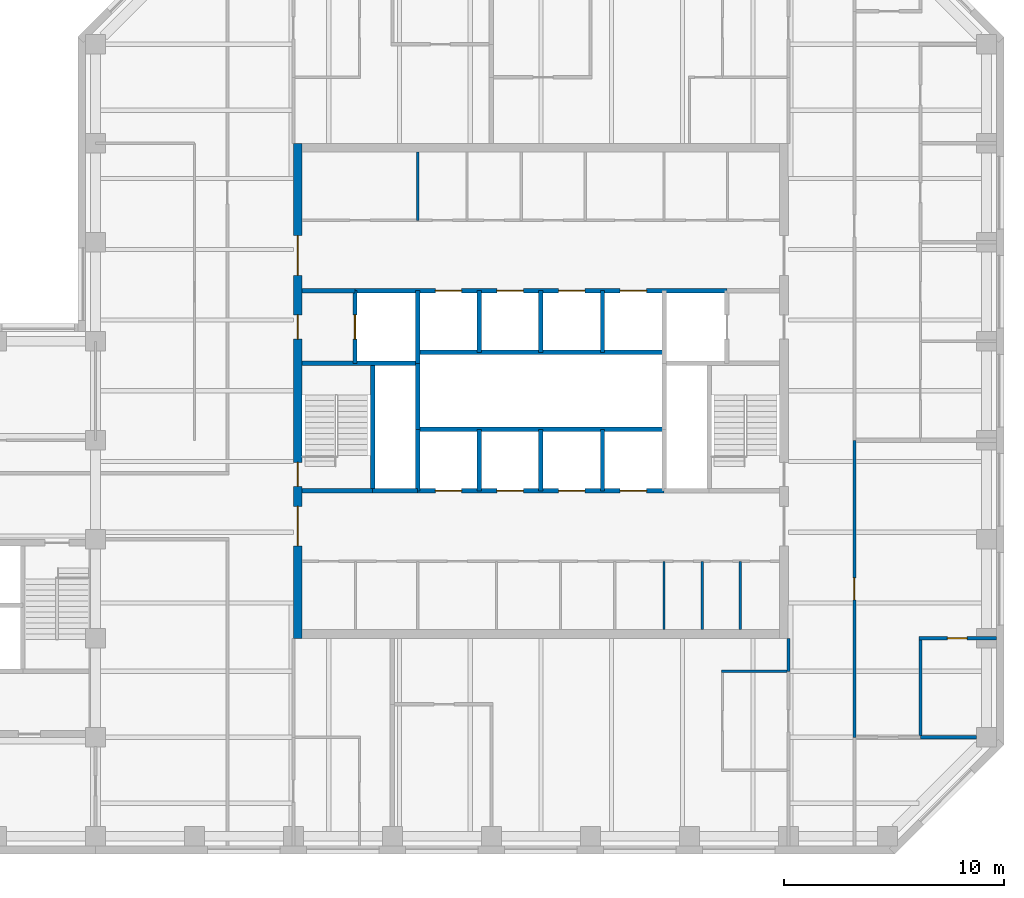
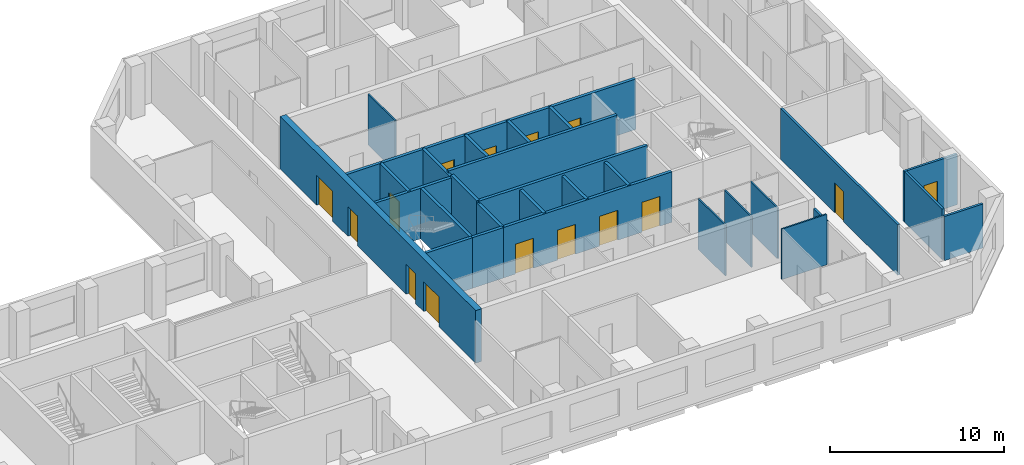
# One storey, part 5 of 9: 30 walls, 15 doors, 15 openings.
"""IFC4 building model written with IfcOpenShell, lengths in metres."""

from ifc_helpers import new_model, si_unit, direction, frame, frame_2d, origin, place, context, subcontext, project, spatial, rectangle, extrude, material, layer, layer_set, type_object, element, fill, save


model = new_model("IFC4")

# Units and contexts
model_context = context("Model", 3, precision=1e-05, world=origin(), true_north=direction((0.0, 1.0)))
body_context = subcontext(model_context, "Body", "Model", "MODEL_VIEW")
ifc_project = project(units=[si_unit("LENGTHUNIT", "METRE"), si_unit("AREAUNIT", "SQUARE_METRE"), si_unit("VOLUMEUNIT", "CUBIC_METRE"), si_unit("PLANEANGLEUNIT", "RADIAN"), si_unit("MASSUNIT", "GRAM", prefix="KILO")], contexts=[model_context])

# Site, building, storey
site_placement = place(None, origin())
site = spatial("IfcSite", under=ifc_project, at=site_placement, CompositionType="ELEMENT")
building_placement = place(site_placement, origin())
building = spatial("IfcBuilding", under=site, at=building_placement, Name="Quoin Convention Tower", CompositionType="ELEMENT")
storey_placement = place(building_placement, frame((0.0, 0.0, 226.699951171875)))
storey = spatial("IfcBuildingStorey", under=building, at=storey_placement, Name="L59", CompositionType="ELEMENT", Elevation=226.699951171875)

# Wall, opening, door
ifc_material_1 = material(Name="Plasterboard")
ifc_layer_1 = layer(ifc_material_1, 0.012451171875, Name="Finish")
ifc_material_2 = material(Name="Steel stud framing", Category="steel")
ifc_layer_2 = layer(ifc_material_2, 0.125, Name="Structure")
ifc_layer_3 = layer(ifc_material_1, 0.012451171875, Name="Finish")
ifc_layer_set_1 = layer_set([ifc_layer_1, ifc_layer_2, ifc_layer_3], Name="Steel stud framing")
wall_type_1 = type_object("IfcWallType", Name="Acoustic partition 150", PredefinedType="PARTITIONING", material=ifc_layer_set_1)
wall_1_placement = place(storey_placement, frame((73.425048828125, 49.5, 0.0), z_axis=(0.0, 0.0, 1.0), x_axis=(1.0, 0.0, 0.0)))
wall_1 = element("IfcWall", 1, at=wall_1_placement, inside=storey, type_object=wall_type_1, Name="pw-L59-012", PredefinedType="PARTITIONING", context=body_context, shape_type="SweptSolid", body=[
    extrude(rectangle(XDim=3.52490234375, YDim=0.14990234375, at=frame_2d((1.762451171875, 0.0))), origin(), (0.0, 0.0, 1.0), 3.550048828125),
])
opening_1_placement = place(wall_1_placement, frame((1.300048828125, 0.0, 0.0)))
opening_1 = element("IfcOpeningElement", 2, at=opening_1_placement, cuts=wall_1, Name="Opening DOH10-03", PredefinedType="OPENING", context=body_context, shape_type="SweptSolid", body=[
    extrude(rectangle(XDim=0.89990234375, YDim=2.10009765625, at=frame_2d((0.449951171875, 1.050048828125))), frame((0.0, 0.0849609375, 0.0), z_axis=(0.0, -1.0, 0.0), x_axis=(1.0, 0.0, 0.0)), (0.0, 0.0, 1.0), 0.169921875),
])
ifc_material_3 = material(Name="Steel door leaf", Category="steel")
door_type_1 = type_object("IfcDoorType", Name="Office door 900 x 2100", OperationType="SINGLE_SWING_RIGHT", PredefinedType="DOOR", material=ifc_material_3)
door_1_placement = place(opening_1_placement, origin())
door_1 = element("IfcDoor", 3, at=door_1_placement, inside=storey, type_object=door_type_1, Name="dr-L59-24", OperationType="SINGLE_SWING_RIGHT", OverallHeight=2.10009765625, OverallWidth=0.89990234375, PredefinedType="DOOR", context=body_context, shape_type="SweptSolid", body=[
    extrude(rectangle(XDim=0.89990234375, YDim=2.10009765625, at=frame_2d((0.449951171875, 1.050048828125))), frame((0.0, 0.02490234375, 0.0), z_axis=(0.0, -1.0, 0.0), x_axis=(1.0, 0.0, 0.0)), (0.0, 0.0, 1.0), 0.050048828125),
])
fill(opening_1, door_1)

# Walls
wall_2_placement = place(storey_placement, frame((73.5, 45.074951171875, 0.0), z_axis=(0.0, 0.0, 1.0), x_axis=(0.0, 1.0, 0.0)))
element("IfcWall", 4, at=wall_2_placement, inside=storey, type_object=wall_type_1, Name="pw-L59-050", PredefinedType="PARTITIONING", context=body_context, shape_type="SweptSolid", body=[
    extrude(rectangle(XDim=4.35009765625, YDim=0.14990234375, at=frame_2d((2.175048828125, 0.0))), origin(), (0.0, 0.0, 1.0), 3.550048828125),
])
ifc_layer_4 = layer(ifc_material_1, 0.012451171875, Name="Finish")
ifc_layer_5 = layer(ifc_material_2, 0.125, Name="Structure")
ifc_layer_6 = layer(ifc_material_1, 0.012451171875, Name="Finish")
ifc_layer_set_2 = layer_set([ifc_layer_4, ifc_layer_5, ifc_layer_6], Name="Steel stud framing")
wall_type_2 = type_object("IfcWallType", Name="Acoustic partition 150 under beam 454", PredefinedType="PARTITIONING", material=ifc_layer_set_2)
wall_3_placement = place(storey_placement, frame((73.5, 45.0, 0.0), z_axis=(0.0, 0.0, 1.0), x_axis=(1.0, 0.0, 0.0)))
element("IfcWall", 5, at=wall_3_placement, inside=storey, type_object=wall_type_2, Name="pw-L59-007", PredefinedType="PARTITIONING", context=body_context, shape_type="SweptSolid", body=[
    extrude(rectangle(XDim=2.550048828125, YDim=0.14990234375, at=frame_2d((1.27490234375, 0.0))), origin(), (0.0, 0.0, 1.0), 3.095947265625),
])
ifc_layer_7 = layer(ifc_material_1, 0.012451171875, Name="Finish")
ifc_layer_8 = layer(ifc_material_2, 0.074951171875, Name="Structure")
ifc_layer_9 = layer(ifc_material_1, 0.012451171875, Name="Finish")
ifc_layer_set_3 = layer_set([ifc_layer_7, ifc_layer_8, ifc_layer_9], Name="Steel stud framing")
wall_type_3 = type_object("IfcWallType", Name="Core partition wall", PredefinedType="PARTITIONING", material=ifc_layer_set_3)
for number, where, z_axis, x_axis, name in (
    (6, (50.64990234375, 68.5, 0.0), (0.0, 0.0, 1.0), (0.0, 1.0, 0.0), "cr-C1-L59-v5650_19000"),
    (7, (61.85009765625, 49.89990234375, 0.0), (0.0, 0.0, 1.0), (0.0, 1.0, 0.0), "cr-C1-L59-v16850_400"),
    (8, (63.58251953125, 49.89990234375, 0.0), (0.0, 0.0, 1.0), (0.0, 1.0, 0.0), "cr-C1-L59-v18582_400"),
    (9, (65.31494140625, 49.89990234375, 0.0), (0.0, 0.0, 1.0), (0.0, 1.0, 0.0), "cr-C1-L59-v20315_400"),
):
    element("IfcWall", number, at=place(storey_placement, frame(where, z_axis=z_axis, x_axis=x_axis)), inside=storey, type_object=wall_type_3, Name=name, PredefinedType="PARTITIONING", context=body_context, shape_type="SweptSolid", body=[
        extrude(rectangle(XDim=3.10009765625, YDim=0.10009765625, at=frame_2d((1.550048828125, 0.0))), origin(), (0.0, 0.0, 1.0), 3.550048828125),
    ])
ifc_material_4 = material(Name="Concrete C50", Category="concrete")
ifc_layer_10 = layer(ifc_material_4, 0.199951171875)
ifc_layer_set_4 = layer_set([ifc_layer_10], Name="Concrete C50")
wall_type_4 = type_object("IfcWallType", Name="Core shaft wall", PredefinedType="SOLIDWALL", material=ifc_layer_set_4)
wall_4_placement = place(storey_placement, frame((48.60009765625, 56.199951171875, 0.0), z_axis=(0.0, 0.0, 1.0), x_axis=(1.0, 0.0, 0.0)))
element("IfcWall", 10, at=wall_4_placement, inside=storey, type_object=wall_type_4, Name="cr-C1-L59-h6700_3600", PredefinedType="SOLIDWALL", context=body_context, shape_type="SweptSolid", body=[
    extrude(rectangle(XDim=2.0498046875, YDim=0.199951171875, at=frame_2d((1.02490234375, 0.0))), origin(), (0.0, 0.0, 1.0), 3.550048828125),
])
wall_5_placement = place(storey_placement, frame((45.39990234375, 56.199951171875, 0.0), z_axis=(0.0, 0.0, 1.0), x_axis=(1.0, 0.0, 0.0)))
element("IfcWall", 11, at=wall_5_placement, inside=storey, type_object=wall_type_4, Name="cr-C1-L59-h6700_400", PredefinedType="SOLIDWALL", context=body_context, shape_type="SweptSolid", body=[
    extrude(rectangle(XDim=3.2001953125, YDim=0.199951171875, at=frame_2d((1.60009765625, 0.0))), origin(), (0.0, 0.0, 1.0), 3.550048828125),
])

# Wall, openings, doors
wall_6_placement = place(storey_placement, frame((50.64990234375, 56.199951171875, 0.0), z_axis=(0.0, 0.0, 1.0), x_axis=(1.0, 0.0, 0.0)))
wall_6 = element("IfcWall", 12, at=wall_6_placement, inside=storey, type_object=wall_type_4, Name="cr-C1-L59-h6700_5650", PredefinedType="SOLIDWALL", context=body_context, shape_type="SweptSolid", body=[
    extrude(rectangle(XDim=11.2001953125, YDim=0.199951171875, at=frame_2d((5.60009765625, 0.0))), origin(), (0.0, 0.0, 1.0), 3.550048828125),
])
opening_2_placement = place(wall_6_placement, frame((0.800048828125, 0.0, 0.0)))
opening_2 = element("IfcOpeningElement", 13, at=opening_2_placement, cuts=wall_6, Name="Opening LDH1", PredefinedType="OPENING", context=body_context, shape_type="SweptSolid", body=[
    extrude(rectangle(XDim=1.199951171875, YDim=2.10009765625, at=frame_2d((0.60009765625, 1.050048828125))), frame((0.0, 0.10986328125, 0.0), z_axis=(0.0, -1.0, 0.0), x_axis=(1.0, 0.0, 0.0)), (0.0, 0.0, 1.0), 0.219970703125),
])
opening_3_placement = place(wall_6_placement, frame((3.60009765625, 0.0, 0.0)))
opening_3 = element("IfcOpeningElement", 14, at=opening_3_placement, cuts=wall_6, Name="Opening LDH2", PredefinedType="OPENING", context=body_context, shape_type="SweptSolid", body=[
    extrude(rectangle(XDim=1.199951171875, YDim=2.10009765625, at=frame_2d((0.60009765625, 1.050048828125))), frame((0.0, 0.10986328125, 0.0), z_axis=(0.0, -1.0, 0.0), x_axis=(1.0, 0.0, 0.0)), (0.0, 0.0, 1.0), 0.219970703125),
])
opening_4_placement = place(wall_6_placement, frame((6.39990234375, 0.0, 0.0)))
opening_4 = element("IfcOpeningElement", 15, at=opening_4_placement, cuts=wall_6, Name="Opening LDH3", PredefinedType="OPENING", context=body_context, shape_type="SweptSolid", body=[
    extrude(rectangle(XDim=1.199951171875, YDim=2.10009765625, at=frame_2d((0.60009765625, 1.050048828125))), frame((0.0, 0.10986328125, 0.0), z_axis=(0.0, -1.0, 0.0), x_axis=(1.0, 0.0, 0.0)), (0.0, 0.0, 1.0), 0.219970703125),
])
opening_5_placement = place(wall_6_placement, frame((9.199951171875, 0.0, 0.0)))
opening_5 = element("IfcOpeningElement", 16, at=opening_5_placement, cuts=wall_6, Name="Opening LDH4", PredefinedType="OPENING", context=body_context, shape_type="SweptSolid", body=[
    extrude(rectangle(XDim=1.199951171875, YDim=2.10009765625, at=frame_2d((0.60009765625, 1.050048828125))), frame((0.0, 0.10986328125, 0.0), z_axis=(0.0, -1.0, 0.0), x_axis=(1.0, 0.0, 0.0)), (0.0, 0.0, 1.0), 0.219970703125),
])
door_type_2 = type_object("IfcDoorType", Name="Lift landing door 1200 x 2100", OperationType="DOUBLE_DOOR_SLIDING", PredefinedType="DOOR", material=ifc_material_3)
door_2_placement = place(opening_2_placement, origin())
door_2 = element("IfcDoor", 17, at=door_2_placement, inside=storey, type_object=door_type_2, Name="cd-C1-L59-R20-lobA-LDH1", OperationType="DOUBLE_DOOR_SLIDING", OverallHeight=2.10009765625, OverallWidth=1.199951171875, PredefinedType="DOOR", context=body_context, shape_type="SweptSolid", body=[
    extrude(rectangle(XDim=1.199951171875, YDim=2.10009765625, at=frame_2d((0.60009765625, 1.050048828125))), frame((0.0, 0.02490234375, 0.0), z_axis=(0.0, -1.0, 0.0), x_axis=(1.0, 0.0, 0.0)), (0.0, 0.0, 1.0), 0.050048828125),
])
fill(opening_2, door_2)
door_3_placement = place(opening_3_placement, origin())
door_3 = element("IfcDoor", 18, at=door_3_placement, inside=storey, type_object=door_type_2, Name="cd-C1-L59-R21-lobA-LDH2", OperationType="DOUBLE_DOOR_SLIDING", OverallHeight=2.10009765625, OverallWidth=1.199951171875, PredefinedType="DOOR", context=body_context, shape_type="SweptSolid", body=[
    extrude(rectangle(XDim=1.199951171875, YDim=2.10009765625, at=frame_2d((0.60009765625, 1.050048828125))), frame((0.0, 0.02490234375, 0.0), z_axis=(0.0, -1.0, 0.0), x_axis=(1.0, 0.0, 0.0)), (0.0, 0.0, 1.0), 0.050048828125),
])
fill(opening_3, door_3)
door_4_placement = place(opening_4_placement, origin())
door_4 = element("IfcDoor", 19, at=door_4_placement, inside=storey, type_object=door_type_2, Name="cd-C1-L59-R22-lobA-LDH3", OperationType="DOUBLE_DOOR_SLIDING", OverallHeight=2.10009765625, OverallWidth=1.199951171875, PredefinedType="DOOR", context=body_context, shape_type="SweptSolid", body=[
    extrude(rectangle(XDim=1.199951171875, YDim=2.10009765625, at=frame_2d((0.60009765625, 1.050048828125))), frame((0.0, 0.02490234375, 0.0), z_axis=(0.0, -1.0, 0.0), x_axis=(1.0, 0.0, 0.0)), (0.0, 0.0, 1.0), 0.050048828125),
])
fill(opening_4, door_4)
door_5_placement = place(opening_5_placement, origin())
door_5 = element("IfcDoor", 20, at=door_5_placement, inside=storey, type_object=door_type_2, Name="cd-C1-L59-R23-lobA-LDH4", OperationType="DOUBLE_DOOR_SLIDING", OverallHeight=2.10009765625, OverallWidth=1.199951171875, PredefinedType="DOOR", context=body_context, shape_type="SweptSolid", body=[
    extrude(rectangle(XDim=1.199951171875, YDim=2.10009765625, at=frame_2d((0.60009765625, 1.050048828125))), frame((0.0, 0.02490234375, 0.0), z_axis=(0.0, -1.0, 0.0), x_axis=(1.0, 0.0, 0.0)), (0.0, 0.0, 1.0), 0.050048828125),
])
fill(opening_5, door_5)

# Walls
wall_7_placement = place(storey_placement, frame((45.39990234375, 62.0, 0.0), z_axis=(0.0, 0.0, 1.0), x_axis=(1.0, 0.0, 0.0)))
element("IfcWall", 21, at=wall_7_placement, inside=storey, type_object=wall_type_4, Name="cr-C1-L59-h12500_400", PredefinedType="SOLIDWALL", context=body_context, shape_type="SweptSolid", body=[
    extrude(rectangle(XDim=5.25, YDim=0.199951171875, at=frame_2d((2.625, 0.0))), origin(), (0.0, 0.0, 1.0), 3.550048828125),
])
wall_8_placement = place(storey_placement, frame((45.39990234375, 65.300048828125, 0.0), z_axis=(0.0, 0.0, 1.0), x_axis=(1.0, 0.0, 0.0)))
element("IfcWall", 22, at=wall_8_placement, inside=storey, type_object=wall_type_4, Name="cr-C1-L59-h15800_400", PredefinedType="SOLIDWALL", context=body_context, shape_type="SweptSolid", body=[
    extrude(rectangle(XDim=2.400146484375, YDim=0.199951171875, at=frame_2d((1.2001953125, 0.0))), origin(), (0.0, 0.0, 1.0), 3.550048828125),
])

# Wall, openings, doors
wall_9_placement = place(storey_placement, frame((47.800048828125, 65.300048828125, 0.0), z_axis=(0.0, 0.0, 1.0), x_axis=(1.0, 0.0, 0.0)))
wall_9 = element("IfcWall", 23, at=wall_9_placement, inside=storey, type_object=wall_type_4, Name="cr-C1-L59-h15800_2800", PredefinedType="SOLIDWALL", context=body_context, shape_type="SweptSolid", body=[
    extrude(rectangle(XDim=16.89990234375, YDim=0.199951171875, at=frame_2d((8.449951171875, 0.0))), origin(), (0.0, 0.0, 1.0), 3.550048828125),
])
opening_6_placement = place(wall_9_placement, frame((3.64990234375, 0.0, 0.0)))
opening_6 = element("IfcOpeningElement", 24, at=opening_6_placement, cuts=wall_9, Name="Opening LDH5", PredefinedType="OPENING", context=body_context, shape_type="SweptSolid", body=[
    extrude(rectangle(XDim=1.199951171875, YDim=2.10009765625, at=frame_2d((0.60009765625, 1.050048828125))), frame((0.0, 0.10986328125, 0.0), z_axis=(0.0, -1.0, 0.0), x_axis=(1.0, 0.0, 0.0)), (0.0, 0.0, 1.0), 0.219970703125),
])
opening_7_placement = place(wall_9_placement, frame((6.449951171875, 0.0, 0.0)))
opening_7 = element("IfcOpeningElement", 25, at=opening_7_placement, cuts=wall_9, Name="Opening LDH6", PredefinedType="OPENING", context=body_context, shape_type="SweptSolid", body=[
    extrude(rectangle(XDim=1.199951171875, YDim=2.10009765625, at=frame_2d((0.60009765625, 1.050048828125))), frame((0.0, 0.10986328125, 0.0), z_axis=(0.0, -1.0, 0.0), x_axis=(1.0, 0.0, 0.0)), (0.0, 0.0, 1.0), 0.219970703125),
])
opening_8_placement = place(wall_9_placement, frame((9.25, 0.0, 0.0)))
opening_8 = element("IfcOpeningElement", 26, at=opening_8_placement, cuts=wall_9, Name="Opening LDH7", PredefinedType="OPENING", context=body_context, shape_type="SweptSolid", body=[
    extrude(rectangle(XDim=1.199951171875, YDim=2.10009765625, at=frame_2d((0.60009765625, 1.050048828125))), frame((0.0, 0.10986328125, 0.0), z_axis=(0.0, -1.0, 0.0), x_axis=(1.0, 0.0, 0.0)), (0.0, 0.0, 1.0), 0.219970703125),
])
opening_9_placement = place(wall_9_placement, frame((12.050048828125, 0.0, 0.0)))
opening_9 = element("IfcOpeningElement", 27, at=opening_9_placement, cuts=wall_9, Name="Opening LDH8", PredefinedType="OPENING", context=body_context, shape_type="SweptSolid", body=[
    extrude(rectangle(XDim=1.199951171875, YDim=2.10009765625, at=frame_2d((0.60009765625, 1.050048828125))), frame((0.0, 0.10986328125, 0.0), z_axis=(0.0, -1.0, 0.0), x_axis=(1.0, 0.0, 0.0)), (0.0, 0.0, 1.0), 0.219970703125),
])
door_6_placement = place(opening_6_placement, origin())
door_6 = element("IfcDoor", 28, at=door_6_placement, inside=storey, type_object=door_type_2, Name="cd-C1-L59-R30-lobB-LDH5", OperationType="DOUBLE_DOOR_SLIDING", OverallHeight=2.10009765625, OverallWidth=1.199951171875, PredefinedType="DOOR", context=body_context, shape_type="SweptSolid", body=[
    extrude(rectangle(XDim=1.199951171875, YDim=2.10009765625, at=frame_2d((0.60009765625, 1.050048828125))), frame((0.0, 0.02490234375, 0.0), z_axis=(0.0, -1.0, 0.0), x_axis=(1.0, 0.0, 0.0)), (0.0, 0.0, 1.0), 0.050048828125),
])
fill(opening_6, door_6)
door_7_placement = place(opening_7_placement, origin())
door_7 = element("IfcDoor", 29, at=door_7_placement, inside=storey, type_object=door_type_2, Name="cd-C1-L59-R31-lobB-LDH6", OperationType="DOUBLE_DOOR_SLIDING", OverallHeight=2.10009765625, OverallWidth=1.199951171875, PredefinedType="DOOR", context=body_context, shape_type="SweptSolid", body=[
    extrude(rectangle(XDim=1.199951171875, YDim=2.10009765625, at=frame_2d((0.60009765625, 1.050048828125))), frame((0.0, 0.02490234375, 0.0), z_axis=(0.0, -1.0, 0.0), x_axis=(1.0, 0.0, 0.0)), (0.0, 0.0, 1.0), 0.050048828125),
])
fill(opening_7, door_7)
door_8_placement = place(opening_8_placement, origin())
door_8 = element("IfcDoor", 30, at=door_8_placement, inside=storey, type_object=door_type_2, Name="cd-C1-L59-R32-lobB-LDH7", OperationType="DOUBLE_DOOR_SLIDING", OverallHeight=2.10009765625, OverallWidth=1.199951171875, PredefinedType="DOOR", context=body_context, shape_type="SweptSolid", body=[
    extrude(rectangle(XDim=1.199951171875, YDim=2.10009765625, at=frame_2d((0.60009765625, 1.050048828125))), frame((0.0, 0.02490234375, 0.0), z_axis=(0.0, -1.0, 0.0), x_axis=(1.0, 0.0, 0.0)), (0.0, 0.0, 1.0), 0.050048828125),
])
fill(opening_8, door_8)
door_9_placement = place(opening_9_placement, origin())
door_9 = element("IfcDoor", 31, at=door_9_placement, inside=storey, type_object=door_type_2, Name="cd-C1-L59-R33-lobB-LDH8", OperationType="DOUBLE_DOOR_SLIDING", OverallHeight=2.10009765625, OverallWidth=1.199951171875, PredefinedType="DOOR", context=body_context, shape_type="SweptSolid", body=[
    extrude(rectangle(XDim=1.199951171875, YDim=2.10009765625, at=frame_2d((0.60009765625, 1.050048828125))), frame((0.0, 0.02490234375, 0.0), z_axis=(0.0, -1.0, 0.0), x_axis=(1.0, 0.0, 0.0)), (0.0, 0.0, 1.0), 0.050048828125),
])
fill(opening_9, door_9)

# Wall, opening, door
wall_10_placement = place(storey_placement, frame((47.800048828125, 62.0, 0.0), z_axis=(0.0, 0.0, 1.0), x_axis=(0.0, 1.0, 0.0)))
wall_10 = element("IfcWall", 32, at=wall_10_placement, inside=storey, type_object=wall_type_4, Name="cr-C1-L59-v2800_12500", PredefinedType="SOLIDWALL", context=body_context, shape_type="SweptSolid", body=[
    extrude(rectangle(XDim=3.300048828125, YDim=0.199951171875, at=frame_2d((1.64990234375, 0.0))), origin(), (0.0, 0.0, 1.0), 3.550048828125),
])
opening_10_placement = place(wall_10_placement, frame((1.10009765625, 0.0, 0.0)))
opening_10 = element("IfcOpeningElement", 33, at=opening_10_placement, cuts=wall_10, Name="Opening LDFL1", PredefinedType="OPENING", context=body_context, shape_type="SweptSolid", body=[
    extrude(rectangle(XDim=1.10009765625, YDim=2.10009765625, at=frame_2d((0.550048828125, 1.050048828125))), frame((0.0, 0.10986328125, 0.0), z_axis=(0.0, -1.0, 0.0), x_axis=(1.0, 0.0, 0.0)), (0.0, 0.0, 1.0), 0.219970703125),
])
door_type_3 = type_object("IfcDoorType", Name="Lift landing door 1100 x 2100", OperationType="DOUBLE_DOOR_SLIDING", PredefinedType="DOOR", material=ifc_material_3)
door_10_placement = place(opening_10_placement, origin())
door_10 = element("IfcDoor", 34, at=door_10_placement, inside=storey, type_object=door_type_3, Name="cd-C1-L59-FLW-FFW-LDFL1", OperationType="DOUBLE_DOOR_SLIDING", OverallHeight=2.10009765625, OverallWidth=1.10009765625, PredefinedType="DOOR", context=body_context, shape_type="SweptSolid", body=[
    extrude(rectangle(XDim=1.10009765625, YDim=2.10009765625, at=frame_2d((0.550048828125, 1.050048828125))), frame((0.0, 0.02490234375, 0.0), z_axis=(0.0, -1.0, 0.0), x_axis=(1.0, 0.0, 0.0)), (0.0, 0.0, 1.0), 0.050048828125),
])
fill(opening_10, door_10)

# Walls
wall_11_placement = place(storey_placement, frame((48.60009765625, 56.199951171875, 0.0), z_axis=(0.0, 0.0, 1.0), x_axis=(0.0, 1.0, 0.0)))
element("IfcWall", 35, at=wall_11_placement, inside=storey, type_object=wall_type_4, Name="cr-C1-L59-v3600_6700", PredefinedType="SOLIDWALL", context=body_context, shape_type="SweptSolid", body=[
    extrude(rectangle(XDim=5.800048828125, YDim=0.199951171875, at=frame_2d((2.89990234375, 0.0))), origin(), (0.0, 0.0, 1.0), 3.550048828125),
])
wall_12_placement = place(storey_placement, frame((50.64990234375, 56.199951171875, 0.0), z_axis=(0.0, 0.0, 1.0), x_axis=(0.0, 1.0, 0.0)))
element("IfcWall", 36, at=wall_12_placement, inside=storey, type_object=wall_type_4, Name="cr-C1-L59-v5650_6700", PredefinedType="SOLIDWALL", context=body_context, shape_type="SweptSolid", body=[
    extrude(rectangle(XDim=2.800048828125, YDim=0.199951171875, at=frame_2d((1.39990234375, 0.0))), origin(), (0.0, 0.0, 1.0), 3.550048828125),
])
wall_13_placement = place(storey_placement, frame((50.64990234375, 62.0, 0.0), z_axis=(0.0, 0.0, 1.0), x_axis=(0.0, 1.0, 0.0)))
element("IfcWall", 37, at=wall_13_placement, inside=storey, type_object=wall_type_4, Name="cr-C1-L59-v5650_12500", PredefinedType="SOLIDWALL", context=body_context, shape_type="SweptSolid", body=[
    extrude(rectangle(XDim=3.300048828125, YDim=0.199951171875, at=frame_2d((1.64990234375, 0.0))), origin(), (0.0, 0.0, 1.0), 3.550048828125),
])
for number, where, z_axis, x_axis, name in (
    (38, (53.449951171875, 56.199951171875, 0.0), (0.0, 0.0, 1.0), (0.0, 1.0, 0.0), "cr-C1-L59-v8450_6700"),
    (39, (53.449951171875, 62.5, 0.0), (0.0, 0.0, 1.0), (0.0, 1.0, 0.0), "cr-C1-L59-v8450_13000"),
    (40, (56.25, 56.199951171875, 0.0), (0.0, 0.0, 1.0), (0.0, 1.0, 0.0), "cr-C1-L59-v11250_6700"),
    (41, (56.25, 62.5, 0.0), (0.0, 0.0, 1.0), (0.0, 1.0, 0.0), "cr-C1-L59-v11250_13000"),
    (42, (59.050048828125, 56.199951171875, 0.0), (0.0, 0.0, 1.0), (0.0, 1.0, 0.0), "cr-C1-L59-v14050_6700"),
    (43, (59.050048828125, 62.5, 0.0), (0.0, 0.0, 1.0), (0.0, 1.0, 0.0), "cr-C1-L59-v14050_13000"),
):
    element("IfcWall", number, at=place(storey_placement, frame(where, z_axis=z_axis, x_axis=x_axis)), inside=storey, type_object=wall_type_4, Name=name, PredefinedType="SOLIDWALL", context=body_context, shape_type="SweptSolid", body=[
        extrude(rectangle(XDim=2.800048828125, YDim=0.199951171875, at=frame_2d((1.39990234375, 0.0))), origin(), (0.0, 0.0, 1.0), 3.550048828125),
    ])
ifc_layer_11 = layer(ifc_material_4, 0.199951171875)
ifc_layer_set_5 = layer_set([ifc_layer_11], Name="Concrete C50")
wall_type_5 = type_object("IfcWallType", Name="Core shaft wall to the floor level over", PredefinedType="SOLIDWALL", material=ifc_layer_set_5)
for number, where, z_axis, x_axis, name in (
    (44, (50.64990234375, 59.0, 0.0), (0.0, 0.0, 1.0), (1.0, 0.0, 0.0), "cr-C1-L59-h9500_5650"),
    (45, (50.64990234375, 62.5, 0.0), (0.0, 0.0, 1.0), (1.0, 0.0, 0.0), "cr-C1-L59-h13000_5650"),
):
    element("IfcWall", number, at=place(storey_placement, frame(where, z_axis=z_axis, x_axis=x_axis)), inside=storey, type_object=wall_type_5, Name=name, PredefinedType="SOLIDWALL", context=body_context, shape_type="SweptSolid", body=[
        extrude(rectangle(XDim=11.2001953125, YDim=0.199951171875, at=frame_2d((5.60009765625, 0.0))), origin(), (0.0, 0.0, 1.0), 3.699951171875),
    ])
wall_14_placement = place(storey_placement, frame((50.64990234375, 59.0, 0.0), z_axis=(0.0, 0.0, 1.0), x_axis=(0.0, 1.0, 0.0)))
element("IfcWall", 46, at=wall_14_placement, inside=storey, type_object=wall_type_5, Name="cr-C1-L59-v5650_9500", PredefinedType="SOLIDWALL", context=body_context, shape_type="SweptSolid", body=[
    extrude(rectangle(XDim=3.0, YDim=0.199951171875, at=frame_2d((1.5, 0.0))), origin(), (0.0, 0.0, 1.0), 3.699951171875),
])

# Wall, opening, door
ifc_layer_12 = layer(ifc_material_1, 0.012451171875, Name="Finish")
ifc_layer_13 = layer(ifc_material_2, 0.125, Name="Structure")
ifc_layer_14 = layer(ifc_material_1, 0.012451171875, Name="Finish")
ifc_layer_set_6 = layer_set([ifc_layer_12, ifc_layer_13, ifc_layer_14], Name="Steel stud framing")
wall_type_6 = type_object("IfcWallType", Name="Corridor wall 150", PredefinedType="PARTITIONING", material=ifc_layer_set_6)
wall_15_placement = place(storey_placement, frame((70.5, 45.0, 0.0), z_axis=(0.0, 0.0, 1.0), x_axis=(0.0, 1.0, 0.0)))
wall_15 = element("IfcWall", 47, at=wall_15_placement, inside=storey, type_object=wall_type_6, Name="pw-L59-048", PredefinedType="PARTITIONING", context=body_context, shape_type="SweptSolid", body=[
    extrude(rectangle(XDim=13.5, YDim=0.14990234375, at=frame_2d((6.75, 0.0))), origin(), (0.0, 0.0, 1.0), 3.550048828125),
])
opening_11_placement = place(wall_15_placement, frame((6.25, 0.0, 0.0)))
opening_11 = element("IfcOpeningElement", 48, at=opening_11_placement, cuts=wall_15, Name="Opening DOH10-13", PredefinedType="OPENING", context=body_context, shape_type="SweptSolid", body=[
    extrude(rectangle(XDim=1.0, YDim=2.10009765625, at=frame_2d((0.5, 1.050048828125))), frame((0.0, 0.0849609375, 0.0), z_axis=(0.0, -1.0, 0.0), x_axis=(1.0, 0.0, 0.0)), (0.0, 0.0, 1.0), 0.169921875),
])
door_type_4 = type_object("IfcDoorType", Name="Tenancy entrance door 1000 x 2100", OperationType="DOUBLE_DOOR_SINGLE_SWING", PredefinedType="DOOR", material=ifc_material_3)
door_11_placement = place(opening_11_placement, frame((1.0, 0.0, 0.0), z_axis=(0.0, 0.0, 1.0), x_axis=(-1.0, 0.0, 0.0)))
door_11 = element("IfcDoor", 49, at=door_11_placement, inside=storey, type_object=door_type_4, Name="dr-L59-22", OperationType="DOUBLE_DOOR_SINGLE_SWING", OverallHeight=2.10009765625, OverallWidth=1.0, PredefinedType="DOOR", context=body_context, shape_type="SweptSolid", body=[
    extrude(rectangle(XDim=1.0, YDim=2.10009765625, at=frame_2d((0.5, 1.050048828125))), frame((0.0, 0.02490234375, 0.0), z_axis=(0.0, -1.0, 0.0), x_axis=(1.0, 0.0, 0.0)), (0.0, 0.0, 1.0), 0.050048828125),
])
fill(opening_11, door_11)

# Wall
ifc_layer_15 = layer(ifc_material_1, 0.012451171875, Name="Finish")
ifc_layer_16 = layer(ifc_material_2, 0.125, Name="Structure")
ifc_layer_17 = layer(ifc_material_1, 0.012451171875, Name="Finish")
ifc_layer_set_7 = layer_set([ifc_layer_15, ifc_layer_16, ifc_layer_17], Name="Steel stud framing")
wall_type_7 = type_object("IfcWallType", Name="Corridor wall 150 under beam 528", PredefinedType="PARTITIONING", material=ifc_layer_set_7)
wall_16_placement = place(storey_placement, frame((67.5, 48.0, 0.0), z_axis=(0.0, 0.0, 1.0), x_axis=(0.0, 1.0, 0.0)))
element("IfcWall", 50, at=wall_16_placement, inside=storey, type_object=wall_type_7, Name="pw-L59-054", PredefinedType="PARTITIONING", context=body_context, shape_type="SweptSolid", body=[
    extrude(rectangle(XDim=1.5, YDim=0.14990234375, at=frame_2d((0.75, 0.0))), origin(), (0.0, 0.0, 1.0), 3.02197265625),
])

# Wall, openings, doors
ifc_layer_18 = layer(ifc_material_4, 0.39990234375)
ifc_layer_set_8 = layer_set([ifc_layer_18], Name="Concrete C50")
wall_type_8 = type_object("IfcWallType", Name="RC CORE WALL 400 C50", PredefinedType="SHEAR", material=ifc_layer_set_8)
wall_17_placement = place(storey_placement, frame((45.199951171875, 49.5, 0.0), z_axis=(0.0, 0.0, 1.0), x_axis=(0.0, 1.0, 0.0)))
wall_17 = element("IfcWall", 51, at=wall_17_placement, inside=storey, type_object=wall_type_8, Name="cwl-C1-L59-W", PredefinedType="SHEAR", context=body_context, shape_type="SweptSolid", body=[
    extrude(rectangle(XDim=22.5, YDim=0.39990234375, at=frame_2d((11.25, 0.0))), origin(), (0.0, 0.0, 1.0), 3.699951171875),
])
opening_12_placement = place(wall_17_placement, frame((4.199951171875, 0.0, 0.0)))
opening_12 = element("IfcOpeningElement", 52, at=opening_12_placement, cuts=wall_17, Name="Opening DCV2-40", PredefinedType="OPENING", context=body_context, shape_type="SweptSolid", body=[
    extrude(rectangle(XDim=1.800048828125, YDim=2.10009765625, at=frame_2d((0.89990234375, 1.050048828125))), frame((0.0, 0.2099609375, 0.0), z_axis=(0.0, -1.0, 0.0), x_axis=(1.0, 0.0, 0.0)), (0.0, 0.0, 1.0), 0.419921875),
])
opening_13_placement = place(wall_17_placement, frame((6.89990234375, 0.0, 0.0)))
opening_13 = element("IfcOpeningElement", 53, at=opening_13_placement, cuts=wall_17, Name="Opening SD1", PredefinedType="OPENING", context=body_context, shape_type="SweptSolid", body=[
    extrude(rectangle(XDim=1.10009765625, YDim=2.10009765625, at=frame_2d((0.550048828125, 1.050048828125))), frame((0.0, 0.2099609375, 0.0), z_axis=(0.0, -1.0, 0.0), x_axis=(1.0, 0.0, 0.0)), (0.0, 0.0, 1.0), 0.419921875),
])
opening_14_placement = place(wall_17_placement, frame((13.60009765625, 0.0, 0.0)))
opening_14 = element("IfcOpeningElement", 54, at=opening_14_placement, cuts=wall_17, Name="Opening DCV2-39", PredefinedType="OPENING", context=body_context, shape_type="SweptSolid", body=[
    extrude(rectangle(XDim=1.10009765625, YDim=2.10009765625, at=frame_2d((0.550048828125, 1.050048828125))), frame((0.0, 0.2099609375, 0.0), z_axis=(0.0, -1.0, 0.0), x_axis=(1.0, 0.0, 0.0)), (0.0, 0.0, 1.0), 0.419921875),
])
opening_15_placement = place(wall_17_placement, frame((16.5, 0.0, 0.0)))
opening_15 = element("IfcOpeningElement", 55, at=opening_15_placement, cuts=wall_17, Name="Opening DCV2-40", PredefinedType="OPENING", context=body_context, shape_type="SweptSolid", body=[
    extrude(rectangle(XDim=1.800048828125, YDim=2.10009765625, at=frame_2d((0.89990234375, 1.050048828125))), frame((0.0, 0.2099609375, 0.0), z_axis=(0.0, -1.0, 0.0), x_axis=(1.0, 0.0, 0.0)), (0.0, 0.0, 1.0), 0.419921875),
])
door_type_5 = type_object("IfcDoorType", Name="Fire-fighting lobby door 1100 x 2100", OperationType="SINGLE_SWING_LEFT", PredefinedType="DOOR", material=ifc_material_3)
door_12_placement = place(opening_14_placement, frame((1.10009765625, 0.0, 0.0), z_axis=(0.0, 0.0, 1.0), x_axis=(-1.0, 0.0, 0.0)))
door_12 = element("IfcDoor", 56, at=door_12_placement, inside=storey, type_object=door_type_5, Name="cd-C1-L59-FFW-W", OperationType="SINGLE_SWING_LEFT", OverallHeight=2.10009765625, OverallWidth=1.10009765625, PredefinedType="DOOR", context=body_context, shape_type="SweptSolid", body=[
    extrude(rectangle(XDim=1.10009765625, YDim=2.10009765625, at=frame_2d((0.550048828125, 1.050048828125))), frame((0.0, 0.02490234375, 0.0), z_axis=(0.0, -1.0, 0.0), x_axis=(1.0, 0.0, 0.0)), (0.0, 0.0, 1.0), 0.050048828125),
])
fill(opening_14, door_12)
door_type_6 = type_object("IfcDoorType", Name="Lift lobby door 1800 x 2100", OperationType="SINGLE_SWING_LEFT", PredefinedType="DOOR", material=ifc_material_3)
door_13_placement = place(opening_12_placement, frame((1.800048828125, 0.0, 0.0), z_axis=(0.0, 0.0, 1.0), x_axis=(-1.0, 0.0, 0.0)))
door_13 = element("IfcDoor", 57, at=door_13_placement, inside=storey, type_object=door_type_6, Name="cd-C1-L59-lobA-W", OperationType="SINGLE_SWING_LEFT", OverallHeight=2.10009765625, OverallWidth=1.800048828125, PredefinedType="DOOR", context=body_context, shape_type="SweptSolid", body=[
    extrude(rectangle(XDim=1.800048828125, YDim=2.10009765625, at=frame_2d((0.89990234375, 1.050048828125))), frame((0.0, 0.02490234375, 0.0), z_axis=(0.0, -1.0, 0.0), x_axis=(1.0, 0.0, 0.0)), (0.0, 0.0, 1.0), 0.050048828125),
])
fill(opening_12, door_13)
door_14_placement = place(opening_15_placement, frame((1.800048828125, 0.0, 0.0), z_axis=(0.0, 0.0, 1.0), x_axis=(-1.0, 0.0, 0.0)))
door_14 = element("IfcDoor", 58, at=door_14_placement, inside=storey, type_object=door_type_6, Name="cd-C1-L59-lobB-W", OperationType="SINGLE_SWING_LEFT", OverallHeight=2.10009765625, OverallWidth=1.800048828125, PredefinedType="DOOR", context=body_context, shape_type="SweptSolid", body=[
    extrude(rectangle(XDim=1.800048828125, YDim=2.10009765625, at=frame_2d((0.89990234375, 1.050048828125))), frame((0.0, 0.02490234375, 0.0), z_axis=(0.0, -1.0, 0.0), x_axis=(1.0, 0.0, 0.0)), (0.0, 0.0, 1.0), 0.050048828125),
])
fill(opening_15, door_14)
door_type_7 = type_object("IfcDoorType", Name="Stair door 1100 x 2100", OperationType="SINGLE_SWING_RIGHT", PredefinedType="DOOR", material=ifc_material_3)
door_15_placement = place(opening_13_placement, frame((1.10009765625, 0.0, 0.0), z_axis=(0.0, 0.0, 1.0), x_axis=(-1.0, 0.0, 0.0)))
door_15 = element("IfcDoor", 59, at=door_15_placement, inside=storey, type_object=door_type_7, Name="cd-C1-L59-STW-W", OperationType="SINGLE_SWING_RIGHT", OverallHeight=2.10009765625, OverallWidth=1.10009765625, PredefinedType="DOOR", context=body_context, shape_type="SweptSolid", body=[
    extrude(rectangle(XDim=1.10009765625, YDim=2.10009765625, at=frame_2d((0.550048828125, 1.050048828125))), frame((0.0, 0.02490234375, 0.0), z_axis=(0.0, -1.0, 0.0), x_axis=(1.0, 0.0, 0.0)), (0.0, 0.0, 1.0), 0.050048828125),
])
fill(opening_13, door_15)

# Wall
ifc_layer_19 = layer(ifc_material_1, 0.012451171875, Name="Finish")
ifc_layer_20 = layer(ifc_material_2, 0.074951171875, Name="Structure")
ifc_layer_21 = layer(ifc_material_1, 0.012451171875, Name="Finish")
ifc_layer_set_9 = layer_set([ifc_layer_19, ifc_layer_20, ifc_layer_21], Name="Steel stud framing")
wall_type_9 = type_object("IfcWallType", Name="Stud partition 100", PredefinedType="PARTITIONING", material=ifc_layer_set_9)
wall_18_placement = place(storey_placement, frame((64.449951171875, 48.0, 0.0), z_axis=(0.0, 0.0, 1.0), x_axis=(1.0, 0.0, 0.0)))
element("IfcWall", 60, at=wall_18_placement, inside=storey, type_object=wall_type_9, Name="pw-L59-010", PredefinedType="PARTITIONING", context=body_context, shape_type="SweptSolid", body=[
    extrude(rectangle(XDim=2.97509765625, YDim=0.10009765625, at=frame_2d((1.487548828125, 0.0))), origin(), (0.0, 0.0, 1.0), 3.550048828125),
])

save(model, "model.ifc")
